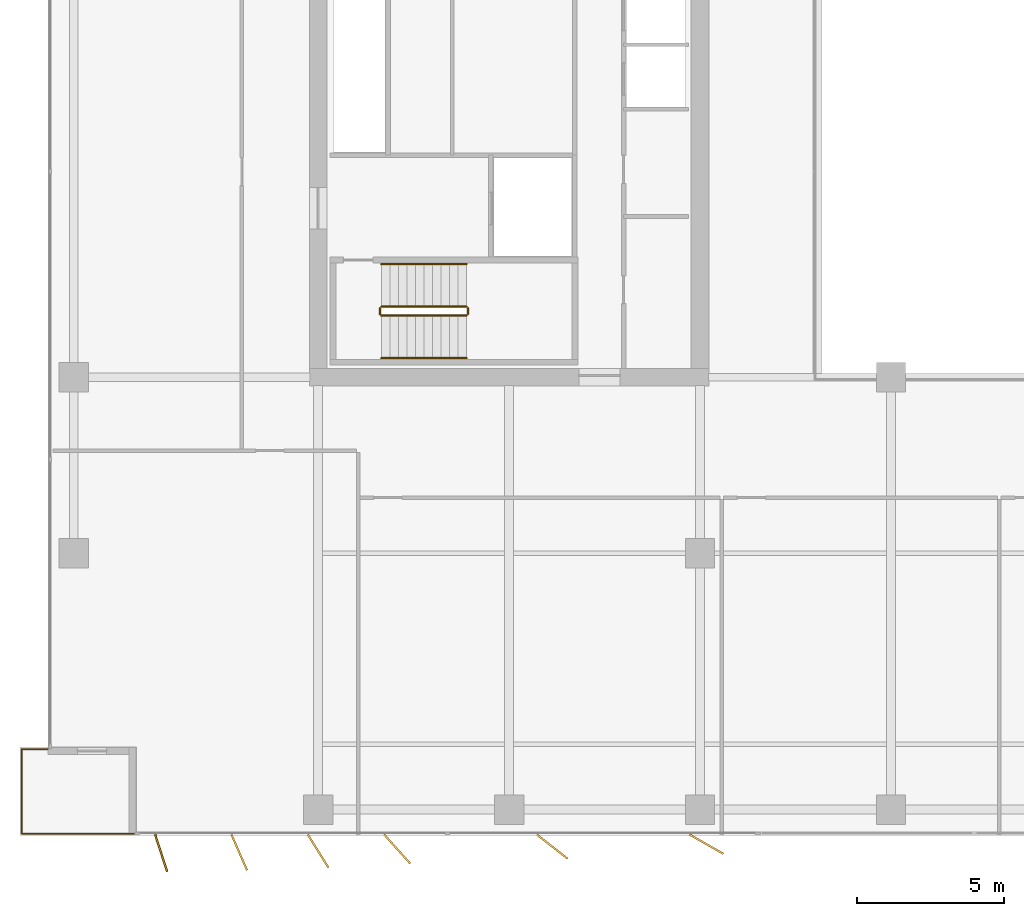
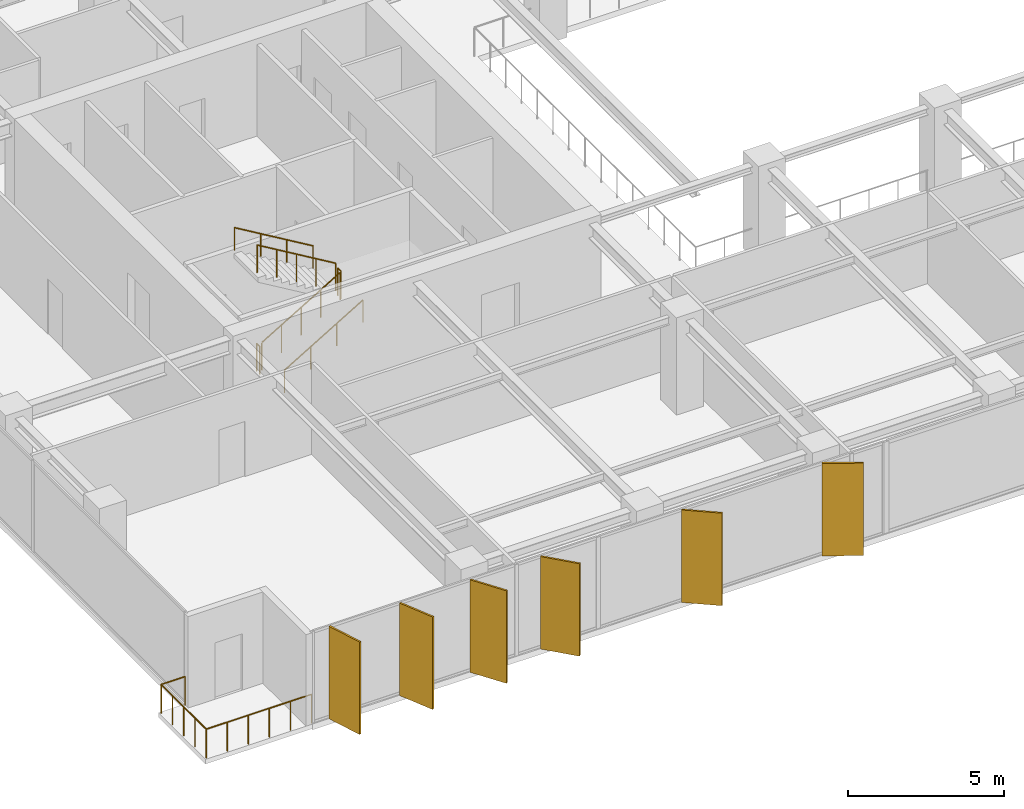
# One storey, part 19 of 22: 7 railings, 6 shading devices.
"""IFC4 building model written with IfcOpenShell, lengths in metres."""

from ifc_helpers import new_model, si_unit, direction, frame, origin, origin_2d, place, context, subcontext, project, spatial, rectangle, circle, extrude, material, layer, layer_set, type_object, element, save


model = new_model("IFC4")

# Units and contexts
model_context = context("Model", 3, precision=1e-05, world=origin(), true_north=direction((0.0, 1.0)))
body_context = subcontext(model_context, "Body", "Model", "MODEL_VIEW")
ifc_project = project(units=[si_unit("LENGTHUNIT", "METRE"), si_unit("AREAUNIT", "SQUARE_METRE"), si_unit("VOLUMEUNIT", "CUBIC_METRE"), si_unit("PLANEANGLEUNIT", "RADIAN"), si_unit("MASSUNIT", "GRAM", prefix="KILO")], contexts=[model_context])

# Site, building, storey
site_placement = place(None, origin())
site = spatial("IfcSite", under=ifc_project, at=site_placement, CompositionType="ELEMENT")
building_placement = place(site_placement, origin())
building = spatial("IfcBuilding", under=site, at=building_placement, Name="Putna Gate Headquarters", CompositionType="ELEMENT")
storey_placement = place(building_placement, frame((0.0, 0.0, 170.800048828125)))
storey = spatial("IfcBuildingStorey", under=building, at=storey_placement, Name="L42", CompositionType="ELEMENT", Elevation=170.800048828125)

# Railings
ifc_material_1 = material(Name="Powder-coated steel stair guardrail", Category="steel")
railing_type_1 = type_object("IfcRailingType", Name="RAIL-STAIR-GUARD-1100", PredefinedType="GUARDRAIL", material=ifc_material_1)
railing_1_placement = place(storey_placement, frame((15.14990234375, 21.10009765625, 0.172607421875)))
element("IfcRailing", 1, at=railing_1_placement, inside=storey, type_object=railing_type_1, Name="L42 ST1 stair guard 1", PredefinedType="GUARDRAIL", context=body_context, shape_type="SweptSolid", body=[
    extrude(circle(Radius=0.02392578125, at=origin_2d()), frame((0.0, 0.0, 1.076171875), z_axis=(0.859160404282, 0.0, 0.51170636083), x_axis=(0.0, 1.0, 0.0)), (0.0, 0.0, 1.0), 3.37548828125),
    extrude(circle(Radius=0.02099609375, at=origin_2d()), origin(), (0.0, 0.0, 1.0), 1.052001953125),
    extrude(circle(Radius=0.02099609375, at=origin_2d()), frame((0.72509765625, 0.0, 0.431884765625)), (0.0, 0.0, 1.0), 1.052001953125),
    extrude(circle(Radius=0.02099609375, at=origin_2d()), frame((1.4501953125, 0.0, 0.86376953125)), (0.0, 0.0, 1.0), 1.052001953125),
    extrude(circle(Radius=0.02099609375, at=origin_2d()), frame((2.175048828125, 0.0, 1.29541015625)), (0.0, 0.0, 1.0), 1.052001953125),
    extrude(circle(Radius=0.02099609375, at=origin_2d()), frame((2.900146484375, 0.0, 1.727294921875)), (0.0, 0.0, 1.0), 1.052001953125),
])
railing_2_placement = place(storey_placement, frame((18.10009765625, 21.14990234375, 1.89990234375)))
element("IfcRailing", 2, at=railing_2_placement, inside=storey, type_object=railing_type_1, Name="L42 ST1 stair guard 2", PredefinedType="GUARDRAIL", context=body_context, shape_type="SweptSolid", body=[
    extrude(circle(Radius=0.02392578125, at=origin_2d()), frame((0.0, 0.0, 1.076171875), z_axis=(0.0, 1.0, 0.0), x_axis=(-1.0, 0.0, 0.0)), (0.0, 0.0, 1.0), 0.2001953125),
    extrude(circle(Radius=0.02099609375, at=origin_2d()), origin(), (0.0, 0.0, 1.0), 1.052001953125),
    extrude(circle(Radius=0.02099609375, at=origin_2d()), frame((0.0, 0.2001953125, 0.0)), (0.0, 0.0, 1.0), 1.052001953125),
])
railing_3_placement = place(storey_placement, frame((18.050048828125, 21.39990234375, 2.07275390625)))
element("IfcRailing", 3, at=railing_3_placement, inside=storey, type_object=railing_type_1, Name="L42 ST1 stair guard 3", PredefinedType="GUARDRAIL", context=body_context, shape_type="SweptSolid", body=[
    extrude(circle(Radius=0.02392578125, at=origin_2d()), frame((0.0, 0.0, 1.076171875), z_axis=(-0.859160404282, 0.0, 0.51170636083), x_axis=(0.0, -1.0, 0.0)), (0.0, 0.0, 1.0), 3.37548828125),
    extrude(circle(Radius=0.02099609375, at=origin_2d()), origin(), (0.0, 0.0, 1.0), 1.052001953125),
    extrude(circle(Radius=0.02099609375, at=origin_2d()), frame((-0.72509765625, 0.0, 0.431884765625)), (0.0, 0.0, 1.0), 1.052001953125),
    extrude(circle(Radius=0.02099609375, at=origin_2d()), frame((-1.4501953125, 0.0, 0.86376953125)), (0.0, 0.0, 1.0), 1.052001953125),
    extrude(circle(Radius=0.02099609375, at=origin_2d()), frame((-2.175048828125, 0.0, 1.29541015625)), (0.0, 0.0, 1.0), 1.052001953125),
    extrude(circle(Radius=0.02099609375, at=origin_2d()), frame((-2.900146484375, 0.0, 1.727294921875)), (0.0, 0.0, 1.0), 1.052001953125),
])
railing_4_placement = place(storey_placement, frame((15.10009765625, 21.14990234375, 0.0)))
element("IfcRailing", 4, at=railing_4_placement, inside=storey, type_object=railing_type_1, Name="L42 ST1 stair guard 4", PredefinedType="GUARDRAIL", context=body_context, shape_type="SweptSolid", body=[
    extrude(circle(Radius=0.02392578125, at=origin_2d()), frame((0.0, 0.0, 1.076171875), z_axis=(0.0, 1.0, 0.0), x_axis=(-1.0, 0.0, 0.0)), (0.0, 0.0, 1.0), 0.2001953125),
    extrude(circle(Radius=0.02099609375, at=origin_2d()), origin(), (0.0, 0.0, 1.0), 1.052001953125),
    extrude(circle(Radius=0.02099609375, at=origin_2d()), frame((0.0, 0.2001953125, 0.0)), (0.0, 0.0, 1.0), 1.052001953125),
])
ifc_material_2 = material(Name="Brushed stainless steel handrail", Category="steel")
railing_type_2 = type_object("IfcRailingType", Name="RAIL-STAIR-HAND-900", PredefinedType="HANDRAIL", material=ifc_material_2)
railing_5_placement = place(storey_placement, frame((15.14990234375, 19.64990234375, 0.172607421875)))
element("IfcRailing", 5, at=railing_5_placement, inside=storey, type_object=railing_type_2, Name="L42 ST1 stair handrail 1", PredefinedType="HANDRAIL", context=body_context, shape_type="SweptSolid", body=[
    extrude(circle(Radius=0.02392578125, at=origin_2d()), frame((0.0, 0.0, 0.8759765625), z_axis=(0.859160404282, 0.0, 0.51170636083), x_axis=(0.0, 1.0, 0.0)), (0.0, 0.0, 1.0), 3.37548828125),
    extrude(circle(Radius=0.02099609375, at=origin_2d()), origin(), (0.0, 0.0, 1.0), 0.851806640625),
    extrude(circle(Radius=0.02099609375, at=origin_2d()), frame((0.966796875, 0.0, 0.57568359375)), (0.0, 0.0, 1.0), 0.851806640625),
    extrude(circle(Radius=0.02099609375, at=origin_2d()), frame((1.933349609375, 0.0, 1.151611328125)), (0.0, 0.0, 1.0), 0.851806640625),
    extrude(circle(Radius=0.02099609375, at=origin_2d()), frame((2.900146484375, 0.0, 1.727294921875)), (0.0, 0.0, 1.0), 0.851806640625),
])
railing_6_placement = place(storey_placement, frame((18.050048828125, 22.85009765625, 2.07275390625)))
element("IfcRailing", 6, at=railing_6_placement, inside=storey, type_object=railing_type_2, Name="L42 ST1 stair handrail 2", PredefinedType="HANDRAIL", context=body_context, shape_type="SweptSolid", body=[
    extrude(circle(Radius=0.02392578125, at=origin_2d()), frame((0.0, 0.0, 0.8759765625), z_axis=(-0.859160404282, 0.0, 0.51170636083), x_axis=(0.0, -1.0, 0.0)), (0.0, 0.0, 1.0), 3.37548828125),
    extrude(circle(Radius=0.02099609375, at=origin_2d()), origin(), (0.0, 0.0, 1.0), 0.851806640625),
    extrude(circle(Radius=0.02099609375, at=origin_2d()), frame((-0.966796875, 0.0, 0.57568359375)), (0.0, 0.0, 1.0), 0.851806640625),
    extrude(circle(Radius=0.02099609375, at=origin_2d()), frame((-1.933349609375, 0.0, 1.151611328125)), (0.0, 0.0, 1.0), 0.851806640625),
    extrude(circle(Radius=0.02099609375, at=origin_2d()), frame((-2.900146484375, 0.0, 1.727294921875)), (0.0, 0.0, 1.0), 0.851806640625),
])
ifc_material_3 = material(Name="Anodised bronze steel and laminated glass guardrail", Category="steel")
railing_type_3 = type_object("IfcRailingType", Name="RAIL-TERR-GUARD-1150", PredefinedType="GUARDRAIL", material=ifc_material_3)
railing_7_placement = place(storey_placement, frame((6.800048828125, 3.4599609375, 0.0)))
element("IfcRailing", 7, at=railing_7_placement, inside=storey, type_object=railing_type_3, Name="L42 Spiral Sky Terrace Guardrail SW", PredefinedType="GUARDRAIL", context=body_context, shape_type="SweptSolid", body=[
    extrude(circle(Radius=0.02392578125, at=origin_2d()), frame((0.0, 0.0, 1.1259765625), z_axis=(-1.0, 0.0, 0.0), x_axis=(0.0, -1.0, 0.0)), (0.0, 0.0, 1.0), 3.89013671875),
    extrude(circle(Radius=0.02392578125, at=origin_2d()), frame((-3.89013671875, 0.0, 1.1259765625), z_axis=(0.0, 1.0, 0.0), x_axis=(-1.0, 0.0, 0.0)), (0.0, 0.0, 1.0), 2.880126953125),
    extrude(circle(Radius=0.02392578125, at=origin_2d()), frame((-3.89013671875, 2.880126953125, 1.1259765625), z_axis=(1.0, 0.0, 0.0), x_axis=(0.0, 1.0, 0.0)), (0.0, 0.0, 1.0), 0.89013671875),
    extrude(circle(Radius=0.02099609375, at=origin_2d()), origin(), (0.0, 0.0, 1.0), 1.101806640625),
    extrude(circle(Radius=0.02099609375, at=origin_2d()), frame((-0.778076171875, 0.0, 0.0)), (0.0, 0.0, 1.0), 1.101806640625),
    extrude(circle(Radius=0.02099609375, at=origin_2d()), frame((-1.55615234375, 0.0, 0.0)), (0.0, 0.0, 1.0), 1.101806640625),
    extrude(circle(Radius=0.02099609375, at=origin_2d()), frame((-2.333984375, 0.0, 0.0)), (0.0, 0.0, 1.0), 1.101806640625),
    extrude(circle(Radius=0.02099609375, at=origin_2d()), frame((-3.112060546875, 0.0, 0.0)), (0.0, 0.0, 1.0), 1.101806640625),
    extrude(circle(Radius=0.02099609375, at=origin_2d()), frame((-3.89013671875, 0.0, 0.0)), (0.0, 0.0, 1.0), 1.101806640625),
    extrude(circle(Radius=0.02099609375, at=origin_2d()), frame((-3.89013671875, 0.719970703125, 0.0)), (0.0, 0.0, 1.0), 1.101806640625),
    extrude(circle(Radius=0.02099609375, at=origin_2d()), frame((-3.89013671875, 1.43994140625, 0.0)), (0.0, 0.0, 1.0), 1.101806640625),
    extrude(circle(Radius=0.02099609375, at=origin_2d()), frame((-3.89013671875, 2.16015625, 0.0)), (0.0, 0.0, 1.0), 1.101806640625),
    extrude(circle(Radius=0.02099609375, at=origin_2d()), frame((-3.89013671875, 2.880126953125, 0.0)), (0.0, 0.0, 1.0), 1.101806640625),
    extrude(circle(Radius=0.02099609375, at=origin_2d()), frame((-3.0, 2.880126953125, 0.0)), (0.0, 0.0, 1.0), 1.101806640625),
])

# Shading devices
ifc_material_4 = material(Name="Anodised architectural bronze aluminium fin", Category="aluminium")
ifc_layer = layer(ifc_material_4, 0.06494140625)
ifc_layer_set = layer_set([ifc_layer], Name="Anodised architectural bronze aluminium fin")
shading_device_type = type_object("IfcShadingDeviceType", Name="SHADE-BRONZE-FIN-1320", PredefinedType="USERDEFINED", material=ifc_layer_set)
for number, where, z_axis, x_axis, name in (
    (8, (7.65380859375, 2.797119140625, -0.02001953125), (0.0, 0.0, 1.0), (0.308684994204, -0.951164325631, 0.0), "L42 Bronze Vertical Shading Fin S1"),
    (9, (10.314453125, 2.8203125, -0.02001953125), (0.0, 0.0, 1.0), (0.400668879095, -0.916222925562, 0.0), "L42 Bronze Vertical Shading Fin S2"),
    (10, (13.000244140625, 2.865478515625, -0.02001953125), (0.0, 0.0, 1.0), (0.530659123936, -0.847585331506, 0.0), "L42 Bronze Vertical Shading Fin S3"),
    (11, (15.691650390625, 2.9345703125, -0.02001953125), (0.0, 0.0, 1.0), (0.669130606359, -0.743144825477, 0.0), "L42 Bronze Vertical Shading Fin S4"),
    (12, (20.9697265625, 3.018310546875, -0.02001953125), (0.0, 0.0, 1.0), (0.787473187632, -0.616348909921, 0.0), "L42 Bronze Vertical Shading Fin S5"),
    (13, (26.223876953125, 3.098876953125, -0.02001953125), (0.0, 0.0, 1.0), (0.869322458298, -0.494245347472, 0.0), "L42 Bronze Vertical Shading Fin S6"),
):
    element("IfcShadingDevice", number, at=place(storey_placement, frame(where, z_axis=z_axis, x_axis=x_axis)), inside=storey, type_object=shading_device_type, Name=name, ObjectType="FIN", PredefinedType="USERDEFINED", context=body_context, shape_type="SweptSolid", body=[
        extrude(rectangle(XDim=1.320068359375, YDim=0.06494140625, at=origin_2d()), origin(), (0.0, 0.0, 1.0), 3.612060546875),
    ])

save(model, "model.ifc")
